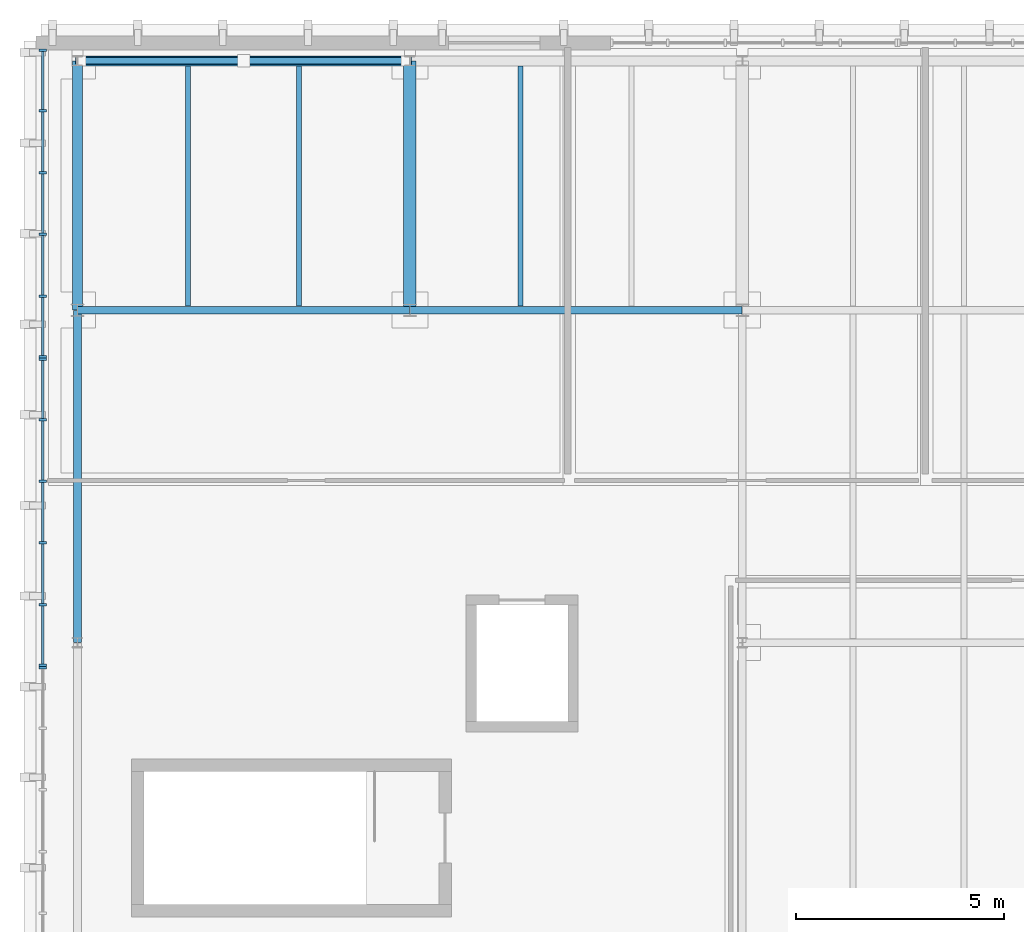
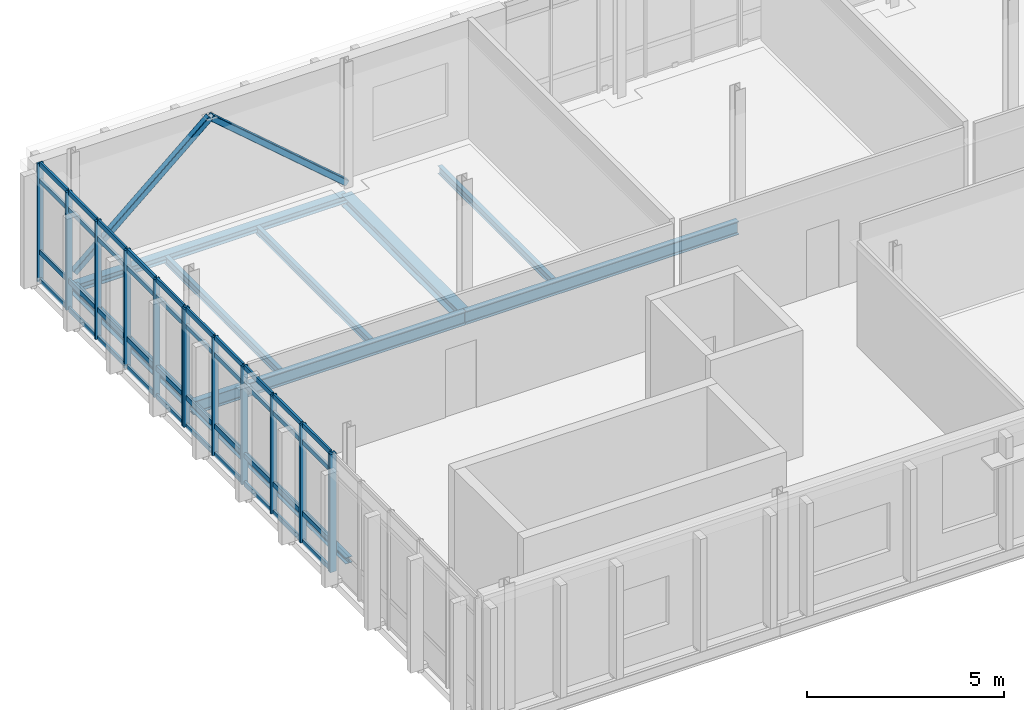
# One storey, part 14 of 40: 55 members, 9 beams, 3 elements without a shape of their own.
"""IFC4 building model written with IfcOpenShell, lengths in metres."""

from ifc_helpers import new_model, si_unit, direction, frame, origin, origin_2d, place, context, subcontext, project, spatial, rectangle, hollow_rectangle, i_section, extrude, material, material_profile, profile_set, type_object, element, aggregate, save


model = new_model("IFC4")

# Units and contexts
model_context = context("Model", 3, precision=1e-05, world=origin(), true_north=direction((0.0, 1.0)))
body_context = subcontext(model_context, "Body", "Model", "MODEL_VIEW")
ifc_project = project(units=[si_unit("LENGTHUNIT", "METRE"), si_unit("AREAUNIT", "SQUARE_METRE"), si_unit("VOLUMEUNIT", "CUBIC_METRE"), si_unit("PLANEANGLEUNIT", "RADIAN"), si_unit("MASSUNIT", "GRAM", prefix="KILO")], contexts=[model_context])

# Site, building, storey
site_placement = place(None, origin())
site = spatial("IfcSite", under=ifc_project, at=site_placement, CompositionType="ELEMENT")
building_placement = place(site_placement, origin())
building = spatial("IfcBuilding", under=site, at=building_placement, Name="Cymarion Research Institute", CompositionType="ELEMENT")
storey_placement = place(building_placement, frame((0.0, 0.0, 26.699951171875)))
storey = spatial("IfcBuildingStorey", under=building, at=storey_placement, Name="L06", CompositionType="ELEMENT", Elevation=26.699951171875)

# Curtain wall, members
ifc_material_1 = material(Name="Anodised aluminium unitised curtain wall with Low-E glazing", Category="aluminium")
curtain_wall_type = type_object("IfcCurtainWallType", Name="UNITISED CURTAIN WALL CW65 7430X3660", PredefinedType="NOTDEFINED", material=ifc_material_1)
curtain_wall_1_placement = place(storey_placement, origin())
curtain_wall_1 = element("IfcCurtainWall", 1, at=curtain_wall_1_placement, inside=storey, type_object=curtain_wall_type, Name="L06 V5 unitised curtain wall CW65 #227", PredefinedType="NOTDEFINED")
ifc_material_2 = material(Name="Anodised aluminium framing", Category="aluminium")
ifc_material_profile_1 = material_profile(ifc_material_2, rectangle(XDim=0.06005859375, YDim=0.179931640625, at=origin_2d()), Name="ALU MULLION 60x180")
ifc_profile_set_1 = profile_set([ifc_material_profile_1], Name="Anodised aluminium framing")
member_type_1 = type_object("IfcMemberType", Name="CURTAIN WALL MULLION ML01 60X180", PredefinedType="MULLION", material=ifc_profile_set_1)
member_1_placement = place(storey_placement, frame((5.77001953125, 115.748046875, 0.0), z_axis=(0.0, 0.0, 1.0), x_axis=(0.0, -1.0, 0.0)))
member_1 = element("IfcMember", 2, at=member_1_placement, type_object=member_type_1, Name="CW65 mullion 1", PredefinedType="MULLION", context=body_context, shape_type="SweptSolid", body=[
    extrude(rectangle(XDim=0.06005859375, YDim=0.179931640625, at=origin_2d()), origin(), (0.0, 0.0, 1.0), 3.66015625),
])
member_2_placement = place(storey_placement, frame((5.77001953125, 114.292724609375, 0.0), z_axis=(0.0, 0.0, 1.0), x_axis=(0.0, -1.0, 0.0)))
member_2 = element("IfcMember", 3, at=member_2_placement, type_object=member_type_1, Name="CW65 mullion 2", PredefinedType="MULLION", context=body_context, shape_type="SweptSolid", body=[
    extrude(rectangle(XDim=0.06005859375, YDim=0.179931640625, at=origin_2d()), origin(), (0.0, 0.0, 1.0), 3.66015625),
])
member_3_placement = place(storey_placement, frame((5.77001953125, 112.8076171875, 0.0), z_axis=(0.0, 0.0, 1.0), x_axis=(0.0, -1.0, 0.0)))
member_3 = element("IfcMember", 4, at=member_3_placement, type_object=member_type_1, Name="CW65 mullion 3", PredefinedType="MULLION", context=body_context, shape_type="SweptSolid", body=[
    extrude(rectangle(XDim=0.06005859375, YDim=0.179931640625, at=origin_2d()), origin(), (0.0, 0.0, 1.0), 3.66015625),
])
member_4_placement = place(storey_placement, frame((5.77001953125, 111.322509765625, 0.0), z_axis=(0.0, 0.0, 1.0), x_axis=(0.0, -1.0, 0.0)))
member_4 = element("IfcMember", 5, at=member_4_placement, type_object=member_type_1, Name="CW65 mullion 4", PredefinedType="MULLION", context=body_context, shape_type="SweptSolid", body=[
    extrude(rectangle(XDim=0.06005859375, YDim=0.179931640625, at=origin_2d()), origin(), (0.0, 0.0, 1.0), 3.66015625),
])
member_5_placement = place(storey_placement, frame((5.77001953125, 109.837158203125, 0.0), z_axis=(0.0, 0.0, 1.0), x_axis=(0.0, -1.0, 0.0)))
member_5 = element("IfcMember", 6, at=member_5_placement, type_object=member_type_1, Name="CW65 mullion 5", PredefinedType="MULLION", context=body_context, shape_type="SweptSolid", body=[
    extrude(rectangle(XDim=0.06005859375, YDim=0.179931640625, at=origin_2d()), origin(), (0.0, 0.0, 1.0), 3.66015625),
])
member_6_placement = place(storey_placement, frame((5.77001953125, 108.382080078125, 0.0), z_axis=(0.0, 0.0, 1.0), x_axis=(0.0, -1.0, 0.0)))
member_6 = element("IfcMember", 7, at=member_6_placement, type_object=member_type_1, Name="CW65 mullion 6", PredefinedType="MULLION", context=body_context, shape_type="SweptSolid", body=[
    extrude(rectangle(XDim=0.06005859375, YDim=0.179931640625, at=origin_2d()), origin(), (0.0, 0.0, 1.0), 3.66015625),
])

curtain_wall_2_placement = place(storey_placement, origin())
curtain_wall_2 = element("IfcCurtainWall", 8, at=curtain_wall_2_placement, inside=storey, type_object=curtain_wall_type, Name="L06 V5 unitised curtain wall CW65 #228", PredefinedType="NOTDEFINED")
member_7_placement = place(storey_placement, frame((5.77001953125, 108.322021484375, 0.0), z_axis=(0.0, 0.0, 1.0), x_axis=(0.0, -1.0, 0.0)))
member_7 = element("IfcMember", 9, at=member_7_placement, type_object=member_type_1, Name="CW65 mullion 1", PredefinedType="MULLION", context=body_context, shape_type="SweptSolid", body=[
    extrude(rectangle(XDim=0.06005859375, YDim=0.179931640625, at=origin_2d()), origin(), (0.0, 0.0, 1.0), 3.66015625),
])
member_8_placement = place(storey_placement, frame((5.77001953125, 106.86669921875, 0.0), z_axis=(0.0, 0.0, 1.0), x_axis=(0.0, -1.0, 0.0)))
member_8 = element("IfcMember", 10, at=member_8_placement, type_object=member_type_1, Name="CW65 mullion 2", PredefinedType="MULLION", context=body_context, shape_type="SweptSolid", body=[
    extrude(rectangle(XDim=0.06005859375, YDim=0.179931640625, at=origin_2d()), origin(), (0.0, 0.0, 1.0), 3.66015625),
])
member_9_placement = place(storey_placement, frame((5.77001953125, 105.381591796875, 0.0), z_axis=(0.0, 0.0, 1.0), x_axis=(0.0, -1.0, 0.0)))
member_9 = element("IfcMember", 11, at=member_9_placement, type_object=member_type_1, Name="CW65 mullion 3", PredefinedType="MULLION", context=body_context, shape_type="SweptSolid", body=[
    extrude(rectangle(XDim=0.06005859375, YDim=0.179931640625, at=origin_2d()), origin(), (0.0, 0.0, 1.0), 3.66015625),
])
member_10_placement = place(storey_placement, frame((5.77001953125, 103.896484375, 0.0), z_axis=(0.0, 0.0, 1.0), x_axis=(0.0, -1.0, 0.0)))
member_10 = element("IfcMember", 12, at=member_10_placement, type_object=member_type_1, Name="CW65 mullion 4", PredefinedType="MULLION", context=body_context, shape_type="SweptSolid", body=[
    extrude(rectangle(XDim=0.06005859375, YDim=0.179931640625, at=origin_2d()), origin(), (0.0, 0.0, 1.0), 3.66015625),
])
member_11_placement = place(storey_placement, frame((5.77001953125, 102.4111328125, 0.0), z_axis=(0.0, 0.0, 1.0), x_axis=(0.0, -1.0, 0.0)))
member_11 = element("IfcMember", 13, at=member_11_placement, type_object=member_type_1, Name="CW65 mullion 5", PredefinedType="MULLION", context=body_context, shape_type="SweptSolid", body=[
    extrude(rectangle(XDim=0.06005859375, YDim=0.179931640625, at=origin_2d()), origin(), (0.0, 0.0, 1.0), 3.66015625),
])
member_12_placement = place(storey_placement, frame((5.77001953125, 100.9560546875, 0.0), z_axis=(0.0, 0.0, 1.0), x_axis=(0.0, -1.0, 0.0)))
member_12 = element("IfcMember", 14, at=member_12_placement, type_object=member_type_1, Name="CW65 mullion 6", PredefinedType="MULLION", context=body_context, shape_type="SweptSolid", body=[
    extrude(rectangle(XDim=0.06005859375, YDim=0.179931640625, at=origin_2d()), origin(), (0.0, 0.0, 1.0), 3.66015625),
])

# Curtain wall, member
curtain_wall_3_placement = place(storey_placement, origin())
curtain_wall_3 = element("IfcCurtainWall", 15, at=curtain_wall_3_placement, inside=storey, type_object=curtain_wall_type, Name="L06 V5 unitised curtain wall CW65 #229", PredefinedType="NOTDEFINED")
member_13_placement = place(storey_placement, frame((5.77001953125, 100.89599609375, 0.0), z_axis=(0.0, 0.0, 1.0), x_axis=(0.0, -1.0, 0.0)))
member_13 = element("IfcMember", 16, at=member_13_placement, type_object=member_type_1, Name="CW65 mullion 1", PredefinedType="MULLION", context=body_context, shape_type="SweptSolid", body=[
    extrude(rectangle(XDim=0.06005859375, YDim=0.179931640625, at=origin_2d()), origin(), (0.0, 0.0, 1.0), 3.66015625),
])
aggregate(curtain_wall_3, [member_13])

# Member
ifc_material_profile_2 = material_profile(ifc_material_2, rectangle(XDim=0.06005859375, YDim=0.14990234375, at=origin_2d()), Name="ALU TRANSOM 60x150")
ifc_profile_set_2 = profile_set([ifc_material_profile_2], Name="Anodised aluminium framing")
member_type_2 = type_object("IfcMemberType", Name="CURTAIN WALL TRANSOM TR01 60X150", PredefinedType="USERDEFINED", material=ifc_profile_set_2)
member_14_placement = place(storey_placement, frame((5.77001953125, 115.718017578125, 0.030029296875), z_axis=(0.0, -1.0, 0.0), x_axis=(1.0, 0.0, 0.0)))
member_14 = element("IfcMember", 17, at=member_14_placement, type_object=member_type_2, Name="CW65 transom 1.1", ObjectType="TRANSOM", PredefinedType="USERDEFINED", context=body_context, shape_type="SweptSolid", body=[
    extrude(rectangle(XDim=0.06005859375, YDim=0.14990234375, at=origin_2d()), origin(), (0.0, 0.0, 1.0), 1.395263671875),
])

member_15_placement = place(storey_placement, frame((5.77001953125, 115.718017578125, 0.900146484375), z_axis=(0.0, -1.0, 0.0), x_axis=(1.0, 0.0, 0.0)))
member_15 = element("IfcMember", 18, at=member_15_placement, type_object=member_type_2, Name="CW65 transom 1.2", ObjectType="TRANSOM", PredefinedType="USERDEFINED", context=body_context, shape_type="SweptSolid", body=[
    extrude(rectangle(XDim=0.06005859375, YDim=0.14990234375, at=origin_2d()), origin(), (0.0, 0.0, 1.0), 1.395263671875),
])

member_16_placement = place(storey_placement, frame((5.77001953125, 115.718017578125, 3.110107421875), z_axis=(0.0, -1.0, 0.0), x_axis=(1.0, 0.0, 0.0)))
member_16 = element("IfcMember", 19, at=member_16_placement, type_object=member_type_2, Name="CW65 transom 1.3", ObjectType="TRANSOM", PredefinedType="USERDEFINED", context=body_context, shape_type="SweptSolid", body=[
    extrude(rectangle(XDim=0.06005859375, YDim=0.14990234375, at=origin_2d()), origin(), (0.0, 0.0, 1.0), 1.395263671875),
])

member_17_placement = place(storey_placement, frame((5.77001953125, 115.718017578125, 3.630126953125), z_axis=(0.0, -1.0, 0.0), x_axis=(1.0, 0.0, 0.0)))
member_17 = element("IfcMember", 20, at=member_17_placement, type_object=member_type_2, Name="CW65 transom 1.4", ObjectType="TRANSOM", PredefinedType="USERDEFINED", context=body_context, shape_type="SweptSolid", body=[
    extrude(rectangle(XDim=0.06005859375, YDim=0.14990234375, at=origin_2d()), origin(), (0.0, 0.0, 1.0), 1.395263671875),
])

member_18_placement = place(storey_placement, frame((5.77001953125, 114.2626953125, 0.030029296875), z_axis=(0.0, -1.0, 0.0), x_axis=(1.0, 0.0, 0.0)))
member_18 = element("IfcMember", 21, at=member_18_placement, type_object=member_type_2, Name="CW65 transom 2.1", ObjectType="TRANSOM", PredefinedType="USERDEFINED", context=body_context, shape_type="SweptSolid", body=[
    extrude(rectangle(XDim=0.06005859375, YDim=0.14990234375, at=origin_2d()), origin(), (0.0, 0.0, 1.0), 1.425048828125),
])

member_19_placement = place(storey_placement, frame((5.77001953125, 114.2626953125, 0.900146484375), z_axis=(0.0, -1.0, 0.0), x_axis=(1.0, 0.0, 0.0)))
member_19 = element("IfcMember", 22, at=member_19_placement, type_object=member_type_2, Name="CW65 transom 2.2", ObjectType="TRANSOM", PredefinedType="USERDEFINED", context=body_context, shape_type="SweptSolid", body=[
    extrude(rectangle(XDim=0.06005859375, YDim=0.14990234375, at=origin_2d()), origin(), (0.0, 0.0, 1.0), 1.425048828125),
])

member_20_placement = place(storey_placement, frame((5.77001953125, 114.2626953125, 3.110107421875), z_axis=(0.0, -1.0, 0.0), x_axis=(1.0, 0.0, 0.0)))
member_20 = element("IfcMember", 23, at=member_20_placement, type_object=member_type_2, Name="CW65 transom 2.3", ObjectType="TRANSOM", PredefinedType="USERDEFINED", context=body_context, shape_type="SweptSolid", body=[
    extrude(rectangle(XDim=0.06005859375, YDim=0.14990234375, at=origin_2d()), origin(), (0.0, 0.0, 1.0), 1.425048828125),
])

member_21_placement = place(storey_placement, frame((5.77001953125, 114.2626953125, 3.630126953125), z_axis=(0.0, -1.0, 0.0), x_axis=(1.0, 0.0, 0.0)))
member_21 = element("IfcMember", 24, at=member_21_placement, type_object=member_type_2, Name="CW65 transom 2.4", ObjectType="TRANSOM", PredefinedType="USERDEFINED", context=body_context, shape_type="SweptSolid", body=[
    extrude(rectangle(XDim=0.06005859375, YDim=0.14990234375, at=origin_2d()), origin(), (0.0, 0.0, 1.0), 1.425048828125),
])

member_22_placement = place(storey_placement, frame((5.77001953125, 112.777587890625, 0.030029296875), z_axis=(0.0, -1.0, 0.0), x_axis=(1.0, 0.0, 0.0)))
member_22 = element("IfcMember", 25, at=member_22_placement, type_object=member_type_2, Name="CW65 transom 3.1", ObjectType="TRANSOM", PredefinedType="USERDEFINED", context=body_context, shape_type="SweptSolid", body=[
    extrude(rectangle(XDim=0.06005859375, YDim=0.14990234375, at=origin_2d()), origin(), (0.0, 0.0, 1.0), 1.42529296875),
])

member_23_placement = place(storey_placement, frame((5.77001953125, 112.777587890625, 0.900146484375), z_axis=(0.0, -1.0, 0.0), x_axis=(1.0, 0.0, 0.0)))
member_23 = element("IfcMember", 26, at=member_23_placement, type_object=member_type_2, Name="CW65 transom 3.2", ObjectType="TRANSOM", PredefinedType="USERDEFINED", context=body_context, shape_type="SweptSolid", body=[
    extrude(rectangle(XDim=0.06005859375, YDim=0.14990234375, at=origin_2d()), origin(), (0.0, 0.0, 1.0), 1.42529296875),
])

member_24_placement = place(storey_placement, frame((5.77001953125, 112.777587890625, 3.110107421875), z_axis=(0.0, -1.0, 0.0), x_axis=(1.0, 0.0, 0.0)))
member_24 = element("IfcMember", 27, at=member_24_placement, type_object=member_type_2, Name="CW65 transom 3.3", ObjectType="TRANSOM", PredefinedType="USERDEFINED", context=body_context, shape_type="SweptSolid", body=[
    extrude(rectangle(XDim=0.06005859375, YDim=0.14990234375, at=origin_2d()), origin(), (0.0, 0.0, 1.0), 1.42529296875),
])

member_25_placement = place(storey_placement, frame((5.77001953125, 112.777587890625, 3.630126953125), z_axis=(0.0, -1.0, 0.0), x_axis=(1.0, 0.0, 0.0)))
member_25 = element("IfcMember", 28, at=member_25_placement, type_object=member_type_2, Name="CW65 transom 3.4", ObjectType="TRANSOM", PredefinedType="USERDEFINED", context=body_context, shape_type="SweptSolid", body=[
    extrude(rectangle(XDim=0.06005859375, YDim=0.14990234375, at=origin_2d()), origin(), (0.0, 0.0, 1.0), 1.42529296875),
])

member_26_placement = place(storey_placement, frame((5.77001953125, 111.29248046875, 0.030029296875), z_axis=(0.0, -1.0, 0.0), x_axis=(1.0, 0.0, 0.0)))
member_26 = element("IfcMember", 29, at=member_26_placement, type_object=member_type_2, Name="CW65 transom 4.1", ObjectType="TRANSOM", PredefinedType="USERDEFINED", context=body_context, shape_type="SweptSolid", body=[
    extrude(rectangle(XDim=0.06005859375, YDim=0.14990234375, at=origin_2d()), origin(), (0.0, 0.0, 1.0), 1.42529296875),
])

member_27_placement = place(storey_placement, frame((5.77001953125, 111.29248046875, 0.900146484375), z_axis=(0.0, -1.0, 0.0), x_axis=(1.0, 0.0, 0.0)))
member_27 = element("IfcMember", 30, at=member_27_placement, type_object=member_type_2, Name="CW65 transom 4.2", ObjectType="TRANSOM", PredefinedType="USERDEFINED", context=body_context, shape_type="SweptSolid", body=[
    extrude(rectangle(XDim=0.06005859375, YDim=0.14990234375, at=origin_2d()), origin(), (0.0, 0.0, 1.0), 1.42529296875),
])

member_28_placement = place(storey_placement, frame((5.77001953125, 111.29248046875, 3.110107421875), z_axis=(0.0, -1.0, 0.0), x_axis=(1.0, 0.0, 0.0)))
member_28 = element("IfcMember", 31, at=member_28_placement, type_object=member_type_2, Name="CW65 transom 4.3", ObjectType="TRANSOM", PredefinedType="USERDEFINED", context=body_context, shape_type="SweptSolid", body=[
    extrude(rectangle(XDim=0.06005859375, YDim=0.14990234375, at=origin_2d()), origin(), (0.0, 0.0, 1.0), 1.42529296875),
])

member_29_placement = place(storey_placement, frame((5.77001953125, 111.29248046875, 3.630126953125), z_axis=(0.0, -1.0, 0.0), x_axis=(1.0, 0.0, 0.0)))
member_29 = element("IfcMember", 32, at=member_29_placement, type_object=member_type_2, Name="CW65 transom 4.4", ObjectType="TRANSOM", PredefinedType="USERDEFINED", context=body_context, shape_type="SweptSolid", body=[
    extrude(rectangle(XDim=0.06005859375, YDim=0.14990234375, at=origin_2d()), origin(), (0.0, 0.0, 1.0), 1.42529296875),
])

member_30_placement = place(storey_placement, frame((5.77001953125, 109.80712890625, 0.030029296875), z_axis=(0.0, -1.0, 0.0), x_axis=(1.0, 0.0, 0.0)))
member_30 = element("IfcMember", 33, at=member_30_placement, type_object=member_type_2, Name="CW65 transom 5.1", ObjectType="TRANSOM", PredefinedType="USERDEFINED", context=body_context, shape_type="SweptSolid", body=[
    extrude(rectangle(XDim=0.06005859375, YDim=0.14990234375, at=origin_2d()), origin(), (0.0, 0.0, 1.0), 1.39501953125),
])

member_31_placement = place(storey_placement, frame((5.77001953125, 109.80712890625, 0.900146484375), z_axis=(0.0, -1.0, 0.0), x_axis=(1.0, 0.0, 0.0)))
member_31 = element("IfcMember", 34, at=member_31_placement, type_object=member_type_2, Name="CW65 transom 5.2", ObjectType="TRANSOM", PredefinedType="USERDEFINED", context=body_context, shape_type="SweptSolid", body=[
    extrude(rectangle(XDim=0.06005859375, YDim=0.14990234375, at=origin_2d()), origin(), (0.0, 0.0, 1.0), 1.39501953125),
])

member_32_placement = place(storey_placement, frame((5.77001953125, 109.80712890625, 3.110107421875), z_axis=(0.0, -1.0, 0.0), x_axis=(1.0, 0.0, 0.0)))
member_32 = element("IfcMember", 35, at=member_32_placement, type_object=member_type_2, Name="CW65 transom 5.3", ObjectType="TRANSOM", PredefinedType="USERDEFINED", context=body_context, shape_type="SweptSolid", body=[
    extrude(rectangle(XDim=0.06005859375, YDim=0.14990234375, at=origin_2d()), origin(), (0.0, 0.0, 1.0), 1.39501953125),
])

member_33_placement = place(storey_placement, frame((5.77001953125, 109.80712890625, 3.630126953125), z_axis=(0.0, -1.0, 0.0), x_axis=(1.0, 0.0, 0.0)))
member_33 = element("IfcMember", 36, at=member_33_placement, type_object=member_type_2, Name="CW65 transom 5.4", ObjectType="TRANSOM", PredefinedType="USERDEFINED", context=body_context, shape_type="SweptSolid", body=[
    extrude(rectangle(XDim=0.06005859375, YDim=0.14990234375, at=origin_2d()), origin(), (0.0, 0.0, 1.0), 1.39501953125),
])

aggregate(curtain_wall_1, [member_1, member_2, member_3, member_4, member_5, member_6, member_14, member_15, member_16, member_17, member_18, member_19, member_20, member_21, member_22, member_23, member_24, member_25, member_26, member_27, member_28, member_29, member_30, member_31, member_32, member_33])

member_34_placement = place(storey_placement, frame((5.77001953125, 108.2919921875, 0.030029296875), z_axis=(0.0, -1.0, 0.0), x_axis=(1.0, 0.0, 0.0)))
member_34 = element("IfcMember", 37, at=member_34_placement, type_object=member_type_2, Name="CW65 transom 1.1", ObjectType="TRANSOM", PredefinedType="USERDEFINED", context=body_context, shape_type="SweptSolid", body=[
    extrude(rectangle(XDim=0.06005859375, YDim=0.14990234375, at=origin_2d()), origin(), (0.0, 0.0, 1.0), 1.395263671875),
])

member_35_placement = place(storey_placement, frame((5.77001953125, 108.2919921875, 0.900146484375), z_axis=(0.0, -1.0, 0.0), x_axis=(1.0, 0.0, 0.0)))
member_35 = element("IfcMember", 38, at=member_35_placement, type_object=member_type_2, Name="CW65 transom 1.2", ObjectType="TRANSOM", PredefinedType="USERDEFINED", context=body_context, shape_type="SweptSolid", body=[
    extrude(rectangle(XDim=0.06005859375, YDim=0.14990234375, at=origin_2d()), origin(), (0.0, 0.0, 1.0), 1.395263671875),
])

member_36_placement = place(storey_placement, frame((5.77001953125, 108.2919921875, 3.110107421875), z_axis=(0.0, -1.0, 0.0), x_axis=(1.0, 0.0, 0.0)))
member_36 = element("IfcMember", 39, at=member_36_placement, type_object=member_type_2, Name="CW65 transom 1.3", ObjectType="TRANSOM", PredefinedType="USERDEFINED", context=body_context, shape_type="SweptSolid", body=[
    extrude(rectangle(XDim=0.06005859375, YDim=0.14990234375, at=origin_2d()), origin(), (0.0, 0.0, 1.0), 1.395263671875),
])

member_37_placement = place(storey_placement, frame((5.77001953125, 108.2919921875, 3.630126953125), z_axis=(0.0, -1.0, 0.0), x_axis=(1.0, 0.0, 0.0)))
member_37 = element("IfcMember", 40, at=member_37_placement, type_object=member_type_2, Name="CW65 transom 1.4", ObjectType="TRANSOM", PredefinedType="USERDEFINED", context=body_context, shape_type="SweptSolid", body=[
    extrude(rectangle(XDim=0.06005859375, YDim=0.14990234375, at=origin_2d()), origin(), (0.0, 0.0, 1.0), 1.395263671875),
])

member_38_placement = place(storey_placement, frame((5.77001953125, 106.8369140625, 0.030029296875), z_axis=(0.0, -1.0, 0.0), x_axis=(1.0, 0.0, 0.0)))
member_38 = element("IfcMember", 41, at=member_38_placement, type_object=member_type_2, Name="CW65 transom 2.1", ObjectType="TRANSOM", PredefinedType="USERDEFINED", context=body_context, shape_type="SweptSolid", body=[
    extrude(rectangle(XDim=0.06005859375, YDim=0.14990234375, at=origin_2d()), origin(), (0.0, 0.0, 1.0), 1.42529296875),
])

member_39_placement = place(storey_placement, frame((5.77001953125, 106.8369140625, 0.900146484375), z_axis=(0.0, -1.0, 0.0), x_axis=(1.0, 0.0, 0.0)))
member_39 = element("IfcMember", 42, at=member_39_placement, type_object=member_type_2, Name="CW65 transom 2.2", ObjectType="TRANSOM", PredefinedType="USERDEFINED", context=body_context, shape_type="SweptSolid", body=[
    extrude(rectangle(XDim=0.06005859375, YDim=0.14990234375, at=origin_2d()), origin(), (0.0, 0.0, 1.0), 1.42529296875),
])

member_40_placement = place(storey_placement, frame((5.77001953125, 106.8369140625, 3.110107421875), z_axis=(0.0, -1.0, 0.0), x_axis=(1.0, 0.0, 0.0)))
member_40 = element("IfcMember", 43, at=member_40_placement, type_object=member_type_2, Name="CW65 transom 2.3", ObjectType="TRANSOM", PredefinedType="USERDEFINED", context=body_context, shape_type="SweptSolid", body=[
    extrude(rectangle(XDim=0.06005859375, YDim=0.14990234375, at=origin_2d()), origin(), (0.0, 0.0, 1.0), 1.42529296875),
])

member_41_placement = place(storey_placement, frame((5.77001953125, 106.8369140625, 3.630126953125), z_axis=(0.0, -1.0, 0.0), x_axis=(1.0, 0.0, 0.0)))
member_41 = element("IfcMember", 44, at=member_41_placement, type_object=member_type_2, Name="CW65 transom 2.4", ObjectType="TRANSOM", PredefinedType="USERDEFINED", context=body_context, shape_type="SweptSolid", body=[
    extrude(rectangle(XDim=0.06005859375, YDim=0.14990234375, at=origin_2d()), origin(), (0.0, 0.0, 1.0), 1.42529296875),
])

member_42_placement = place(storey_placement, frame((5.77001953125, 105.3515625, 0.030029296875), z_axis=(0.0, -1.0, 0.0), x_axis=(1.0, 0.0, 0.0)))
member_42 = element("IfcMember", 45, at=member_42_placement, type_object=member_type_2, Name="CW65 transom 3.1", ObjectType="TRANSOM", PredefinedType="USERDEFINED", context=body_context, shape_type="SweptSolid", body=[
    extrude(rectangle(XDim=0.06005859375, YDim=0.14990234375, at=origin_2d()), origin(), (0.0, 0.0, 1.0), 1.425048828125),
])

member_43_placement = place(storey_placement, frame((5.77001953125, 105.3515625, 0.900146484375), z_axis=(0.0, -1.0, 0.0), x_axis=(1.0, 0.0, 0.0)))
member_43 = element("IfcMember", 46, at=member_43_placement, type_object=member_type_2, Name="CW65 transom 3.2", ObjectType="TRANSOM", PredefinedType="USERDEFINED", context=body_context, shape_type="SweptSolid", body=[
    extrude(rectangle(XDim=0.06005859375, YDim=0.14990234375, at=origin_2d()), origin(), (0.0, 0.0, 1.0), 1.425048828125),
])

member_44_placement = place(storey_placement, frame((5.77001953125, 105.3515625, 3.110107421875), z_axis=(0.0, -1.0, 0.0), x_axis=(1.0, 0.0, 0.0)))
member_44 = element("IfcMember", 47, at=member_44_placement, type_object=member_type_2, Name="CW65 transom 3.3", ObjectType="TRANSOM", PredefinedType="USERDEFINED", context=body_context, shape_type="SweptSolid", body=[
    extrude(rectangle(XDim=0.06005859375, YDim=0.14990234375, at=origin_2d()), origin(), (0.0, 0.0, 1.0), 1.425048828125),
])

member_45_placement = place(storey_placement, frame((5.77001953125, 105.3515625, 3.630126953125), z_axis=(0.0, -1.0, 0.0), x_axis=(1.0, 0.0, 0.0)))
member_45 = element("IfcMember", 48, at=member_45_placement, type_object=member_type_2, Name="CW65 transom 3.4", ObjectType="TRANSOM", PredefinedType="USERDEFINED", context=body_context, shape_type="SweptSolid", body=[
    extrude(rectangle(XDim=0.06005859375, YDim=0.14990234375, at=origin_2d()), origin(), (0.0, 0.0, 1.0), 1.425048828125),
])

member_46_placement = place(storey_placement, frame((5.77001953125, 103.866455078125, 0.030029296875), z_axis=(0.0, -1.0, 0.0), x_axis=(1.0, 0.0, 0.0)))
member_46 = element("IfcMember", 49, at=member_46_placement, type_object=member_type_2, Name="CW65 transom 4.1", ObjectType="TRANSOM", PredefinedType="USERDEFINED", context=body_context, shape_type="SweptSolid", body=[
    extrude(rectangle(XDim=0.06005859375, YDim=0.14990234375, at=origin_2d()), origin(), (0.0, 0.0, 1.0), 1.42529296875),
])

member_47_placement = place(storey_placement, frame((5.77001953125, 103.866455078125, 0.900146484375), z_axis=(0.0, -1.0, 0.0), x_axis=(1.0, 0.0, 0.0)))
member_47 = element("IfcMember", 50, at=member_47_placement, type_object=member_type_2, Name="CW65 transom 4.2", ObjectType="TRANSOM", PredefinedType="USERDEFINED", context=body_context, shape_type="SweptSolid", body=[
    extrude(rectangle(XDim=0.06005859375, YDim=0.14990234375, at=origin_2d()), origin(), (0.0, 0.0, 1.0), 1.42529296875),
])

member_48_placement = place(storey_placement, frame((5.77001953125, 103.866455078125, 3.110107421875), z_axis=(0.0, -1.0, 0.0), x_axis=(1.0, 0.0, 0.0)))
member_48 = element("IfcMember", 51, at=member_48_placement, type_object=member_type_2, Name="CW65 transom 4.3", ObjectType="TRANSOM", PredefinedType="USERDEFINED", context=body_context, shape_type="SweptSolid", body=[
    extrude(rectangle(XDim=0.06005859375, YDim=0.14990234375, at=origin_2d()), origin(), (0.0, 0.0, 1.0), 1.42529296875),
])

member_49_placement = place(storey_placement, frame((5.77001953125, 103.866455078125, 3.630126953125), z_axis=(0.0, -1.0, 0.0), x_axis=(1.0, 0.0, 0.0)))
member_49 = element("IfcMember", 52, at=member_49_placement, type_object=member_type_2, Name="CW65 transom 4.4", ObjectType="TRANSOM", PredefinedType="USERDEFINED", context=body_context, shape_type="SweptSolid", body=[
    extrude(rectangle(XDim=0.06005859375, YDim=0.14990234375, at=origin_2d()), origin(), (0.0, 0.0, 1.0), 1.42529296875),
])

member_50_placement = place(storey_placement, frame((5.77001953125, 102.381103515625, 0.030029296875), z_axis=(0.0, -1.0, 0.0), x_axis=(1.0, 0.0, 0.0)))
member_50 = element("IfcMember", 53, at=member_50_placement, type_object=member_type_2, Name="CW65 transom 5.1", ObjectType="TRANSOM", PredefinedType="USERDEFINED", context=body_context, shape_type="SweptSolid", body=[
    extrude(rectangle(XDim=0.06005859375, YDim=0.14990234375, at=origin_2d()), origin(), (0.0, 0.0, 1.0), 1.39501953125),
])

member_51_placement = place(storey_placement, frame((5.77001953125, 102.381103515625, 0.900146484375), z_axis=(0.0, -1.0, 0.0), x_axis=(1.0, 0.0, 0.0)))
member_51 = element("IfcMember", 54, at=member_51_placement, type_object=member_type_2, Name="CW65 transom 5.2", ObjectType="TRANSOM", PredefinedType="USERDEFINED", context=body_context, shape_type="SweptSolid", body=[
    extrude(rectangle(XDim=0.06005859375, YDim=0.14990234375, at=origin_2d()), origin(), (0.0, 0.0, 1.0), 1.39501953125),
])

member_52_placement = place(storey_placement, frame((5.77001953125, 102.381103515625, 3.110107421875), z_axis=(0.0, -1.0, 0.0), x_axis=(1.0, 0.0, 0.0)))
member_52 = element("IfcMember", 55, at=member_52_placement, type_object=member_type_2, Name="CW65 transom 5.3", ObjectType="TRANSOM", PredefinedType="USERDEFINED", context=body_context, shape_type="SweptSolid", body=[
    extrude(rectangle(XDim=0.06005859375, YDim=0.14990234375, at=origin_2d()), origin(), (0.0, 0.0, 1.0), 1.39501953125),
])

member_53_placement = place(storey_placement, frame((5.77001953125, 102.381103515625, 3.630126953125), z_axis=(0.0, -1.0, 0.0), x_axis=(1.0, 0.0, 0.0)))
member_53 = element("IfcMember", 56, at=member_53_placement, type_object=member_type_2, Name="CW65 transom 5.4", ObjectType="TRANSOM", PredefinedType="USERDEFINED", context=body_context, shape_type="SweptSolid", body=[
    extrude(rectangle(XDim=0.06005859375, YDim=0.14990234375, at=origin_2d()), origin(), (0.0, 0.0, 1.0), 1.39501953125),
])

aggregate(curtain_wall_2, [member_7, member_8, member_9, member_10, member_11, member_12, member_34, member_35, member_36, member_37, member_38, member_39, member_40, member_41, member_42, member_43, member_44, member_45, member_46, member_47, member_48, member_49, member_50, member_51, member_52, member_53])

# Beams
ifc_material_3 = material(Name="Steel S355", Category="steel")
ifc_material_profile_3 = material_profile(ifc_material_3, i_section(OverallWidth=0.179931640625, OverallDepth=0.39990234375, WebThickness=0.008544921875, FlangeThickness=0.013427734375, FilletRadius=0.02099609375, at=origin_2d()), Name="IPE 400")
ifc_profile_set_3 = profile_set([ifc_material_profile_3], Name="Steel S355")
beam_type_1 = type_object("IfcBeamType", Name="PRIMARY GIRDER BM05 IPE 400", PredefinedType="BEAM", material=ifc_profile_set_3)
for number, where, z_axis, x_axis, name in (
    (57, (6.60595703125, 109.5, -0.419921875), (1.0, 0.0, 0.0), (0.0, 1.0, 0.0), "L06 V5 girder BM05 #2144"),
    (58, (14.60595703125, 109.5, -0.419921875), (1.0, 0.0, 0.0), (0.0, 1.0, 0.0), "L06 V5 girder BM05 #2145"),
):
    element("IfcBeam", number, at=place(storey_placement, frame(where, z_axis=z_axis, x_axis=x_axis)), inside=storey, type_object=beam_type_1, Name=name, PredefinedType="BEAM", context=body_context, shape_type="SweptSolid", body=[
        extrude(i_section(OverallWidth=0.179931640625, OverallDepth=0.39990234375, WebThickness=0.008544921875, FlangeThickness=0.013427734375, FilletRadius=0.02099609375, at=origin_2d()), origin(), (0.0, 0.0, 1.0), 7.988037109375),
    ])
ifc_material_profile_4 = material_profile(ifc_material_3, i_section(OverallWidth=0.300048828125, OverallDepth=0.35009765625, WebThickness=0.010009765625, FlangeThickness=0.017578125, FilletRadius=0.027099609375, at=origin_2d()), Name="HEA 360")
ifc_profile_set_4 = profile_set([ifc_material_profile_4], Name="Steel S355")
beam_type_2 = type_object("IfcBeamType", Name="PRIMARY GIRDER BM12 HEA 360", PredefinedType="BEAM", material=ifc_profile_set_4)
beam_1_placement = place(storey_placement, frame((14.60009765625, 109.506103515625, -0.39501953125), z_axis=(0.0, 1.0, 0.0), x_axis=(-1.0, 0.0, 0.0)))
element("IfcBeam", 59, at=beam_1_placement, inside=storey, type_object=beam_type_2, Name="L06 V5 girder BM12 #2157", PredefinedType="BEAM", context=body_context, shape_type="SweptSolid", body=[
    extrude(i_section(OverallWidth=0.300048828125, OverallDepth=0.35009765625, WebThickness=0.010009765625, FlangeThickness=0.017578125, FilletRadius=0.027099609375, at=origin_2d()), origin(), (0.0, 0.0, 1.0), 5.98779296875),
])
ifc_material_profile_5 = material_profile(ifc_material_3, i_section(OverallWidth=0.1201171875, OverallDepth=0.239990234375, WebThickness=0.006103515625, FlangeThickness=0.009765625, FilletRadius=0.014892578125, at=origin_2d()), Name="IPE 240")
ifc_profile_set_5 = profile_set([ifc_material_profile_5], Name="Steel S355")
beam_type_3 = type_object("IfcBeamType", Name="SECONDARY JOIST JS04 IPE 240", PredefinedType="JOIST", material=ifc_profile_set_5)
for number, where, z_axis, x_axis, name in (
    (60, (9.2666015625, 109.593994140625, -0.33984375), (0.0, 1.0, 0.0), (-1.0, 0.0, 0.0), "L06 V5 secondary joist JS04 #2181"),
    (61, (11.933349609375, 109.593994140625, -0.33984375), (0.0, 1.0, 0.0), (-1.0, 0.0, 0.0), "L06 V5 secondary joist JS04 #2182"),
    (62, (17.2666015625, 109.593994140625, -0.33984375), (0.0, 1.0, 0.0), (-1.0, 0.0, 0.0), "L06 V5 secondary joist JS04 #2183"),
):
    element("IfcBeam", number, at=place(storey_placement, frame(where, z_axis=z_axis, x_axis=x_axis)), inside=storey, type_object=beam_type_3, Name=name, PredefinedType="JOIST", context=body_context, shape_type="SweptSolid", body=[
        extrude(i_section(OverallWidth=0.1201171875, OverallDepth=0.239990234375, WebThickness=0.006103515625, FlangeThickness=0.009765625, FilletRadius=0.014892578125, at=origin_2d()), origin(), (0.0, 0.0, 1.0), 5.781982421875),
    ])
ifc_material_profile_6 = material_profile(ifc_material_3, i_section(OverallWidth=0.239990234375, OverallDepth=0.22998046875, WebThickness=0.007568359375, FlangeThickness=0.011962890625, FilletRadius=0.02099609375, at=origin_2d()), Name="HEA 240")
ifc_profile_set_6 = profile_set([ifc_material_profile_6], Name="Steel S355")
beam_type_4 = type_object("IfcBeamType", Name="SPANDREL BEAM SPB03 HEA 240", PredefinedType="SPANDREL", material=ifc_profile_set_6)
beam_2_placement = place(storey_placement, frame((6.60595703125, 115.5, -0.3349609375), z_axis=(1.0, 0.0, 0.0), x_axis=(0.0, 1.0, 0.0)))
element("IfcBeam", 63, at=beam_2_placement, inside=storey, type_object=beam_type_4, Name="L06 V5 girder SPB03 #2149", PredefinedType="SPANDREL", context=body_context, shape_type="SweptSolid", body=[
    extrude(i_section(OverallWidth=0.239990234375, OverallDepth=0.22998046875, WebThickness=0.007568359375, FlangeThickness=0.011962890625, FilletRadius=0.02099609375, at=origin_2d()), origin(), (0.0, 0.0, 1.0), 7.988037109375),
])
beam_3_placement = place(storey_placement, frame((6.60009765625, 109.506103515625, -0.3349609375), z_axis=(0.0, 1.0, 0.0), x_axis=(-1.0, 0.0, 0.0)))
element("IfcBeam", 64, at=beam_3_placement, inside=storey, type_object=beam_type_4, Name="L06 V5 girder SPB03 #2156", PredefinedType="SPANDREL", context=body_context, shape_type="SweptSolid", body=[
    extrude(i_section(OverallWidth=0.239990234375, OverallDepth=0.22998046875, WebThickness=0.007568359375, FlangeThickness=0.011962890625, FilletRadius=0.02099609375, at=origin_2d()), origin(), (0.0, 0.0, 1.0), 5.98779296875),
])
ifc_material_profile_7 = material_profile(ifc_material_3, i_section(OverallWidth=0.199951171875, OverallDepth=0.18994140625, WebThickness=0.006591796875, FlangeThickness=0.010009765625, FilletRadius=0.01806640625, at=origin_2d()), Name="HEA 200")
ifc_profile_set_7 = profile_set([ifc_material_profile_7], Name="Steel S355")
beam_type_5 = type_object("IfcBeamType", Name="SPANDREL BEAM SPB04 HEA 200", PredefinedType="SPANDREL", material=ifc_profile_set_7)
beam_4_placement = place(storey_placement, frame((6.60009765625, 101.506103515625, -0.31494140625), z_axis=(0.0, 1.0, 0.0), x_axis=(-1.0, 0.0, 0.0)))
element("IfcBeam", 65, at=beam_4_placement, inside=storey, type_object=beam_type_5, Name="L06 V5 girder SPB04 #2155", PredefinedType="SPANDREL", context=body_context, shape_type="SweptSolid", body=[
    extrude(i_section(OverallWidth=0.199951171875, OverallDepth=0.18994140625, WebThickness=0.006591796875, FlangeThickness=0.010009765625, FilletRadius=0.01806640625, at=origin_2d()), origin(), (0.0, 0.0, 1.0), 7.98779296875),
])

# Members
ifc_material_profile_8 = material_profile(ifc_material_3, hollow_rectangle(XDim=0.179931640625, YDim=0.179931640625, WallThickness=0.010009765625, InnerFilletRadius=0.014892578125, OuterFilletRadius=0.02490234375, at=origin_2d()), Name="SHS 180x180x10")
ifc_profile_set_8 = profile_set([ifc_material_profile_8], Name="Steel S355")
member_type_3 = type_object("IfcMemberType", Name="STRUCTURAL MEMBER BR08 SHS 180x180x10", PredefinedType="BRACE", material=ifc_profile_set_8)
for number, where, z_axis, x_axis, name in (
    (66, (6.615234375, 115.5, 0.1201171875), (0.758217409765, 0.0, 0.652001809453), (0.0, 1.0, 0.0), "L06 V5 seismic chevron brace BR08 #1"),
    (67, (14.584716796875, 115.5, 0.1201171875), (-0.758217409765, 0.0, 0.652001809453), (0.0, -1.0, 0.0), "L06 V5 seismic chevron brace BR08 #2"),
):
    element("IfcMember", number, at=place(storey_placement, frame(where, z_axis=z_axis, x_axis=x_axis)), inside=storey, type_object=member_type_3, Name=name, PredefinedType="BRACE", context=body_context, shape_type="SweptSolid", body=[
        extrude(hollow_rectangle(XDim=0.179931640625, YDim=0.179931640625, WallThickness=0.010009765625, InnerFilletRadius=0.014892578125, OuterFilletRadius=0.02490234375, at=origin_2d()), origin(), (0.0, 0.0, 1.0), 5.245361328125),
    ])

save(model, "model.ifc")
